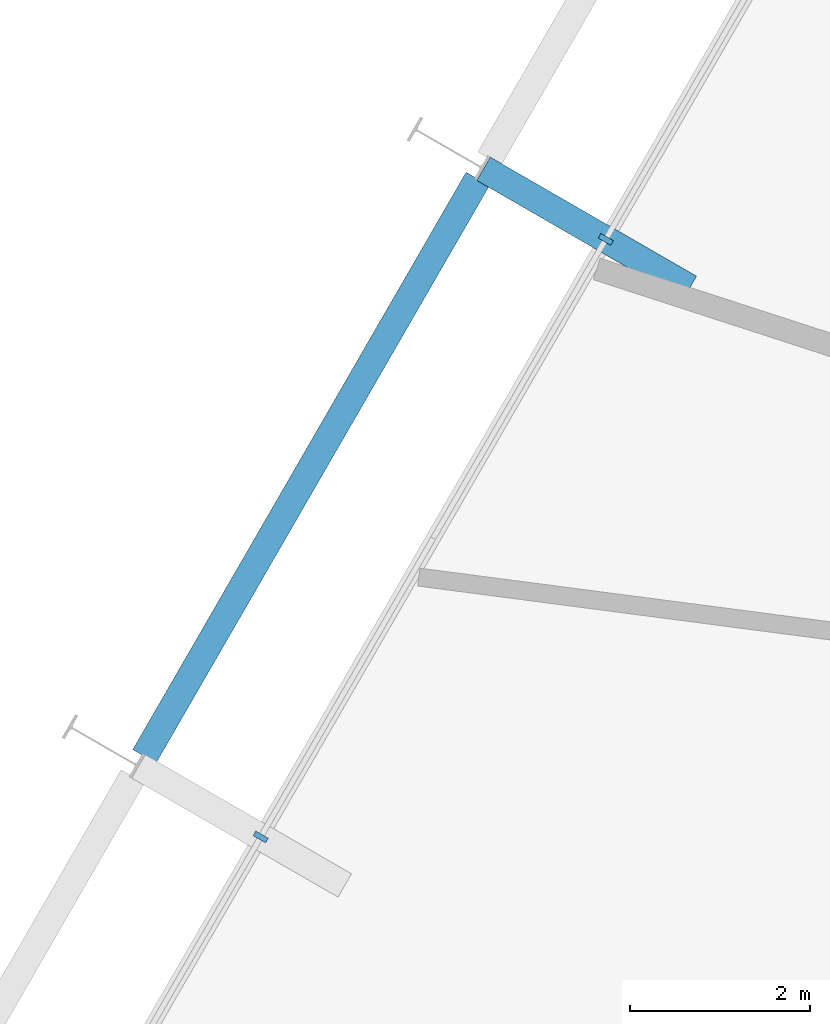
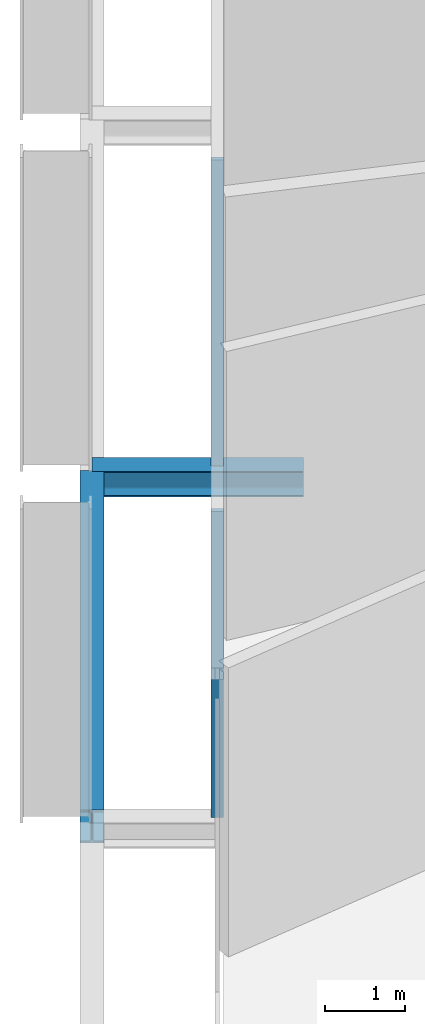
# One storey, part 5 of 17: 2 beams, 2 members, 1 element without a shape of its own.
"""IFC4 building model written with IfcOpenShell, lengths in metres."""

import ifcopenshell
import ifcopenshell.guid

model = None  # the IFC model being written
_history = None  # IfcOwnerHistory: only IFC2X3 demands one
_inside = {}  # id of a spatial element -> (the spatial element, [elements in it])
_under = {}  # id of a project, library or spatial element -> (it, [spatial elements below it])
_declared = {}  # id of a project -> (the project, [libraries it declares])
_typed = {}  # id of a type object -> (the type object, [elements of that type])
_made_of = {}  # id of a material, layer set ... -> (it, [elements and type objects made of it])


def new_model(schema):
    """Start an empty IFC model of exactly this schema.

    Asked for "IFC4X3", IfcOpenShell would pick the latest addendum, in which some entities
    have other attributes; the version numbers below select the first issue.
    IFC2X3 requires an IfcOwnerHistory on every rooted entity: one is made here for all.
    """
    global model, _history
    if schema == "IFC4X3":
        model = ifcopenshell.file(schema_version=(4, 3, 0, 0))
    else:
        model = ifcopenshell.file(schema=schema)
    _inside.clear()
    _under.clear()
    _declared.clear()
    _typed.clear()
    _made_of.clear()
    _history = None
    if model.schema == "IFC2X3":
        org = make("IfcOrganization", Name="unknown")
        user = make(
            "IfcPersonAndOrganization",
            ThePerson=make("IfcPerson", FamilyName="unknown"),
            TheOrganization=org,
        )
        app = make(
            "IfcApplication",
            ApplicationDeveloper=org,
            Version="unknown",
            ApplicationFullName="unknown",
            ApplicationIdentifier="unknown",
        )
        _history = make(
            "IfcOwnerHistory",
            OwningUser=user,
            OwningApplication=app,
            ChangeAction="ADDED",
            CreationDate=0,
        )
    return model


def make(cls, **values):
    """One entity of the class cls with the attributes given. An attribute that is None is left unset."""
    return model.create_entity(
        cls, **{name: value for name, value in values.items() if value is not None}
    )


def rooted(cls, **values):
    """An entity with a GlobalId (a new one), such as an element, a storey or a relation."""
    return make(cls, GlobalId=ifcopenshell.guid.new(), OwnerHistory=_history, **values)


def si_unit(unit_type, name, prefix=None):
    """IfcSIUnit, for example si_unit("LENGTHUNIT", "METRE", prefix="MILLI")."""
    return make("IfcSIUnit", UnitType=unit_type, Prefix=prefix, Name=name)


def assignment(units):
    """IfcUnitAssignment: the units of a project."""
    return None if units is None else make("IfcUnitAssignment", Units=units)


def point(xyz):
    """IfcCartesianPoint."""
    return None if xyz is None else make("IfcCartesianPoint", Coordinates=xyz)


def direction(xyz):
    """IfcDirection."""
    return None if xyz is None else make("IfcDirection", DirectionRatios=xyz)


def frame(location, z_axis=None, x_axis=None):
    """IfcAxis2Placement3D, a coordinate frame: its origin and axes. An axis left out is left unset."""
    return make(
        "IfcAxis2Placement3D",
        Location=point(location),
        Axis=direction(z_axis),
        RefDirection=direction(x_axis),
    )


def frame_2d(location, x_axis=None):
    """IfcAxis2Placement2D, a coordinate frame in the plane: its origin and x axis."""
    return make(
        "IfcAxis2Placement2D", Location=point(location), RefDirection=direction(x_axis)
    )


def origin():
    """The frame at (0, 0, 0) with its axes left unset."""
    return frame((0.0, 0.0, 0.0))


def origin_2d():
    """The frame at (0, 0) in the plane with its x axis left unset."""
    return frame_2d((0.0, 0.0))


def place(relative_to, where):
    """IfcLocalPlacement: puts the frame where relative to a parent placement (None: the world)."""
    return make(
        "IfcLocalPlacement", PlacementRelTo=relative_to, RelativePlacement=where
    )


def context(
    kind, dimensions, precision=None, world=None, true_north=None, identifier=None
):
    """IfcGeometricRepresentationContext, for example the 3D "Model" context."""
    return make(
        "IfcGeometricRepresentationContext",
        ContextIdentifier=identifier,
        ContextType=kind,
        CoordinateSpaceDimension=dimensions,
        Precision=precision,
        WorldCoordinateSystem=world,
        TrueNorth=true_north,
    )


def subcontext(parent, identifier, kind, view, scale=None):
    """IfcGeometricRepresentationSubContext, for example "Body" below "Model"."""
    return make(
        "IfcGeometricRepresentationSubContext",
        ContextIdentifier=identifier,
        ContextType=kind,
        ParentContext=parent,
        TargetScale=scale,
        TargetView=view,
    )


def project(units=None, contexts=None):
    """IfcProject with its units and contexts."""
    return rooted(
        "IfcProject",
        Name="project",
        RepresentationContexts=contexts,
        UnitsInContext=assignment(units),
    )


def spatial(cls, under=None, at=None, **own):
    """A site, building, storey or space (cls), placed at a placement, below another one or the project."""
    s = rooted(cls, ObjectPlacement=at, **own)
    if under is not None:
        _under.setdefault(under.id(), (under, []))[1].append(s)
    return s


def profile(cls, at=None, kind="AREA", **sizes):
    """A parametric profile (cls). Its sizes go by their IFC names, for example OverallWidth=200.0."""
    return make(cls, ProfileType=kind, Position=at, **sizes)


def rectangle(**sizes):
    """IfcRectangleProfileDef."""
    return profile("IfcRectangleProfileDef", **sizes)


def i_section(**sizes):
    """IfcIShapeProfileDef."""
    return profile("IfcIShapeProfileDef", **sizes)


def extrude(swept, where, along, depth):
    """IfcExtrudedAreaSolid: the profile swept, set in the frame where, extruded along a direction by depth."""
    return make(
        "IfcExtrudedAreaSolid",
        SweptArea=swept,
        Position=where,
        ExtrudedDirection=direction(along),
        Depth=depth,
    )


def shape(context_of_items, identifier, shape_type, items):
    """IfcShapeRepresentation: the items that make up one representation, for example the "Body"."""
    return make(
        "IfcShapeRepresentation",
        ContextOfItems=context_of_items,
        RepresentationIdentifier=identifier,
        RepresentationType=shape_type,
        Items=items,
    )


def material(Name=None, Category=None):
    """IfcMaterial."""
    return make("IfcMaterial", Name=Name, Category=Category)


def layer(
    of_material, thickness, ventilated=None, Name=None, Category=None, Priority=None
):
    """IfcMaterialLayer: one layer of a wall or slab, of a material (None: an air gap)."""
    return make(
        "IfcMaterialLayer",
        Material=of_material,
        LayerThickness=thickness,
        IsVentilated=ventilated,
        Name=Name,
        Category=Category,
        Priority=Priority,
    )


def layer_set(layers, Name=None):
    """IfcMaterialLayerSet."""
    return make("IfcMaterialLayerSet", MaterialLayers=layers, LayerSetName=Name)


def material_profile(
    of_material, cross_section, Name=None, Category=None, Priority=None
):
    """IfcMaterialProfile: a cross section and its material."""
    return make(
        "IfcMaterialProfile",
        Name=Name,
        Material=of_material,
        Profile=cross_section,
        Priority=Priority,
        Category=Category,
    )


def profile_set(profiles, Name=None, composite=None):
    """IfcMaterialProfileSet."""
    return make(
        "IfcMaterialProfileSet",
        Name=Name,
        MaterialProfiles=profiles,
        CompositeProfile=composite,
    )


def made_of(thing, what):
    """Note that an element or type object is made of a material, layer set ...; save() writes the relation."""
    if what is not None:
        _made_of.setdefault(what.id(), (what, []))[1].append(thing)
    return thing


def type_object(cls, material=None, **own):
    """A type object (cls), such as IfcWallType, which elements share."""
    return made_of(rooted(cls, **own), material)


def element(
    cls,
    number,
    at=None,
    inside=None,
    cuts=None,
    type_object=None,
    material=None,
    context=None,
    identifier="Body",
    shape_type=None,
    held_by="IfcProductDefinitionShape",
    body=None,
    shapes=None,
    **own,
):
    """One element of the class cls, such as IfcWall. Its Tag is "e" and its number.

    at: its placement. inside: the storey or other place that contains it. cuts: it is an
    opening in that element (IfcRelVoidsElement). A single representation is given by context,
    identifier, shape_type and body (its items); several are given by shapes. held_by: the class
    of the entity that holds the representations. save() writes the other relations.
    """
    e = rooted(cls, Tag="e%d" % number, ObjectPlacement=at, **own)
    if body is not None:
        shapes = [shape(context, identifier, shape_type, body)]
    if shapes is not None:
        e.Representation = make(held_by, Representations=shapes)
    if inside is not None:
        _inside.setdefault(inside.id(), (inside, []))[1].append(e)
    if cuts is not None:
        rooted(
            "IfcRelVoidsElement", RelatingBuildingElement=cuts, RelatedOpeningElement=e
        )
    if type_object is not None:
        _typed.setdefault(type_object.id(), (type_object, []))[1].append(e)
    return made_of(e, material)


def aggregate(whole, parts):
    """IfcRelAggregates: a whole, such as a stair, and the parts it consists of."""
    return rooted("IfcRelAggregates", RelatingObject=whole, RelatedObjects=parts)


def save(model, path):
    """Write the relations noted so far, then the file.

    IfcRelAggregates (storeys below a building ...), IfcRelContainedInSpatialStructure (elements
    in a storey), IfcRelDefinesByType, IfcRelAssociatesMaterial and IfcRelDeclares: one each for
    every whole, place, type object, material and project.
    """
    for whole, parts in _under.values():
        aggregate(whole, parts)
    for where, things in _inside.values():
        rooted(
            "IfcRelContainedInSpatialStructure",
            RelatedElements=things,
            RelatingStructure=where,
        )
    for kind, things in _typed.values():
        rooted("IfcRelDefinesByType", RelatedObjects=things, RelatingType=kind)
    for what, things in _made_of.values():
        rooted("IfcRelAssociatesMaterial", RelatedObjects=things, RelatingMaterial=what)
    for by, libraries in _declared.values():
        rooted("IfcRelDeclares", RelatingContext=by, RelatedDefinitions=libraries)
    model.write(path)


model = new_model("IFC4")

# Units and contexts
model_context = context("Model", 3, precision=1e-05, world=origin(), true_north=direction((0.0, 1.0)))
body_context = subcontext(model_context, "Body", "Model", "MODEL_VIEW")
ifc_project = project(units=[si_unit("LENGTHUNIT", "METRE"), si_unit("AREAUNIT", "SQUARE_METRE"), si_unit("VOLUMEUNIT", "CUBIC_METRE"), si_unit("PLANEANGLEUNIT", "RADIAN"), si_unit("MASSUNIT", "GRAM", prefix="KILO")], contexts=[model_context])

# Site, building, storey
site_placement = place(None, origin())
site = spatial("IfcSite", under=ifc_project, at=site_placement, CompositionType="ELEMENT")
building_placement = place(site_placement, origin())
building = spatial("IfcBuilding", under=site, at=building_placement, Name="Spindle Arch Residences", CompositionType="ELEMENT")
storey_placement = place(building_placement, frame((0.0, 0.0, 13.800048828125)))
storey = spatial("IfcBuildingStorey", under=building, at=storey_placement, Name="L02", CompositionType="ELEMENT", Elevation=13.800048828125)

# Curtain wall, members
ifc_material_1 = material(Name="Aluminium bronze unitised frame with tinted glass", Category="aluminium")
ifc_layer = layer(ifc_material_1, 0.159912109375)
ifc_layer_set = layer_set([ifc_layer], Name="CW-B amenity podium glazed wall")
curtain_wall_type = type_object("IfcCurtainWallType", Name="CW-B amenity podium glazed wall", PredefinedType="NOTDEFINED", material=ifc_layer_set)
curtain_wall_placement = place(storey_placement, origin())
curtain_wall = element("IfcCurtainWall", 1, at=curtain_wall_placement, inside=storey, type_object=curtain_wall_type, Name="CW-B L02 run 4", PredefinedType="NOTDEFINED")
ifc_material_2 = material(Name="Aluminium bronze anodised mullion", Category="aluminium")
ifc_material_profile_1 = material_profile(ifc_material_2, rectangle(XDim=0.159912109375, YDim=0.06005859375, at=origin_2d()), Name="MU 60x160")
ifc_profile_set_1 = profile_set([ifc_material_profile_1], Name="Aluminium bronze anodised mullion")
member_type = type_object("IfcMemberType", Name="Bronze mullion 60x160", PredefinedType="MULLION", material=ifc_profile_set_1)
member_1_placement = place(storey_placement, frame((-18.9892578125, 6.529296875, -0.380126953125), z_axis=(0.0, 0.0, 1.0), x_axis=(0.866025403784, -0.5, 0.0)))
member_1 = element("IfcMember", 2, at=member_1_placement, type_object=member_type, Name="CW-B mullion 16", PredefinedType="MULLION", context=body_context, shape_type="SweptSolid", body=[
    extrude(rectangle(XDim=0.159912109375, YDim=0.06005859375, at=origin_2d()), origin(), (0.0, 0.0, 1.0), 4.68017578125),
])
member_2_placement = place(storey_placement, frame((-22.829345703125, -0.121826171875, -0.380126953125), z_axis=(0.0, 0.0, 1.0), x_axis=(0.866025403784, -0.5, 0.0)))
member_2 = element("IfcMember", 3, at=member_2_placement, type_object=member_type, Name="CW-B mullion 17", PredefinedType="MULLION", context=body_context, shape_type="SweptSolid", body=[
    extrude(rectangle(XDim=0.159912109375, YDim=0.06005859375, at=origin_2d()), origin(), (0.0, 0.0, 1.0), 4.68017578125),
])
aggregate(curtain_wall, [member_1, member_2])

# Beams
ifc_material_3 = material(Name="Steel S460ML, intumescent coating R 120", Category="steel")
ifc_material_profile_2 = material_profile(ifc_material_3, i_section(OverallWidth=0.300048828125, OverallDepth=0.5, WebThickness=0.014404296875, FlangeThickness=0.028076171875, FilletRadius=0.027099609375, at=origin_2d()), Name="HEB 500")
ifc_profile_set_2 = profile_set([ifc_material_profile_2], Name="Steel S460ML, intumescent coating R 120")
beam_type_1 = type_object("IfcBeamType", Name="Exoskeleton edge beam HEB 500", PredefinedType="BEAM", material=ifc_profile_set_2)
beam_1_placement = place(storey_placement, frame((-20.4140625, 7.201904296875, -0.630126953125), z_axis=(-0.49998923004, -0.866031621735, 0.0), x_axis=(0.866031621735, -0.49998923004, 0.0)))
element("IfcBeam", 4, at=beam_1_placement, inside=storey, type_object=beam_type_1, Name="Exoskeleton edge beam 17", PredefinedType="BEAM", context=body_context, shape_type="SweptSolid", body=[
    extrude(i_section(OverallWidth=0.300048828125, OverallDepth=0.5, WebThickness=0.014404296875, FlangeThickness=0.028076171875, FilletRadius=0.027099609375, at=origin_2d()), origin(), (0.0, 0.0, 1.0), 7.420166015625),
])
ifc_material_4 = material(Name="Steel S460ML, intumescent coating R 120", Category="steel")
ifc_material_profile_3 = material_profile(ifc_material_4, i_section(OverallWidth=0.300048828125, OverallDepth=0.389892578125, WebThickness=0.010986328125, FlangeThickness=0.01904296875, FilletRadius=0.027099609375, at=origin_2d()), Name="HEA 400")
ifc_profile_set_3 = profile_set([ifc_material_profile_3], Name="Steel S460ML, intumescent coating R 120")
beam_type_2 = type_object("IfcBeamType", Name="Floor outrigger HEA 400", PredefinedType="BEAM", material=ifc_profile_set_3)
beam_2_placement = place(storey_placement, frame((-20.34912109375, 7.314453125, -0.574951171875), z_axis=(0.866052124492, -0.499953715521, 0.0), x_axis=(0.499953715521, 0.866052124492, 0.0)))
element("IfcBeam", 5, at=beam_2_placement, inside=storey, type_object=beam_type_2, Name="Floor outrigger 17", PredefinedType="BEAM", context=body_context, shape_type="SweptSolid", body=[
    extrude(i_section(OverallWidth=0.300048828125, OverallDepth=0.389892578125, WebThickness=0.010986328125, FlangeThickness=0.01904296875, FilletRadius=0.027099609375, at=origin_2d()), origin(), (0.0, 0.0, 1.0), 2.650146484375),
])

save(model, "model.ifc")
